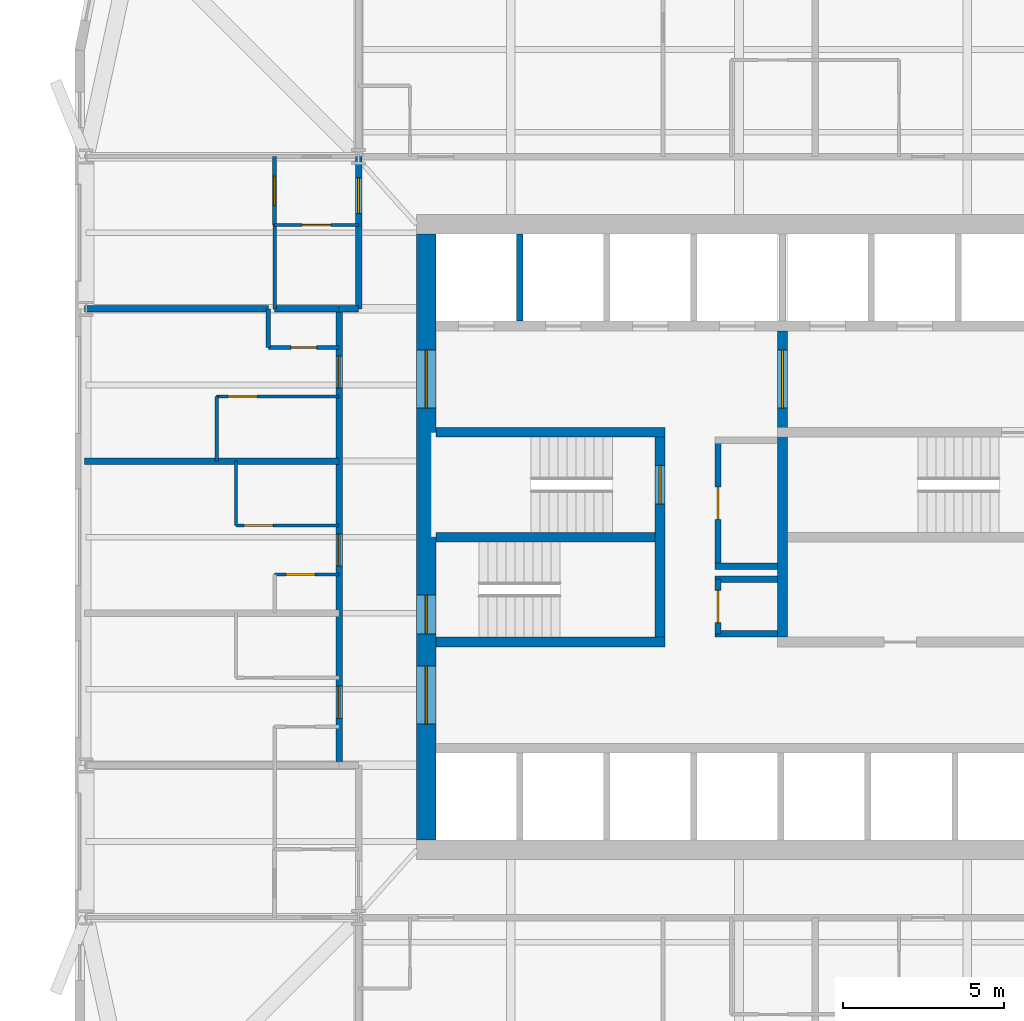
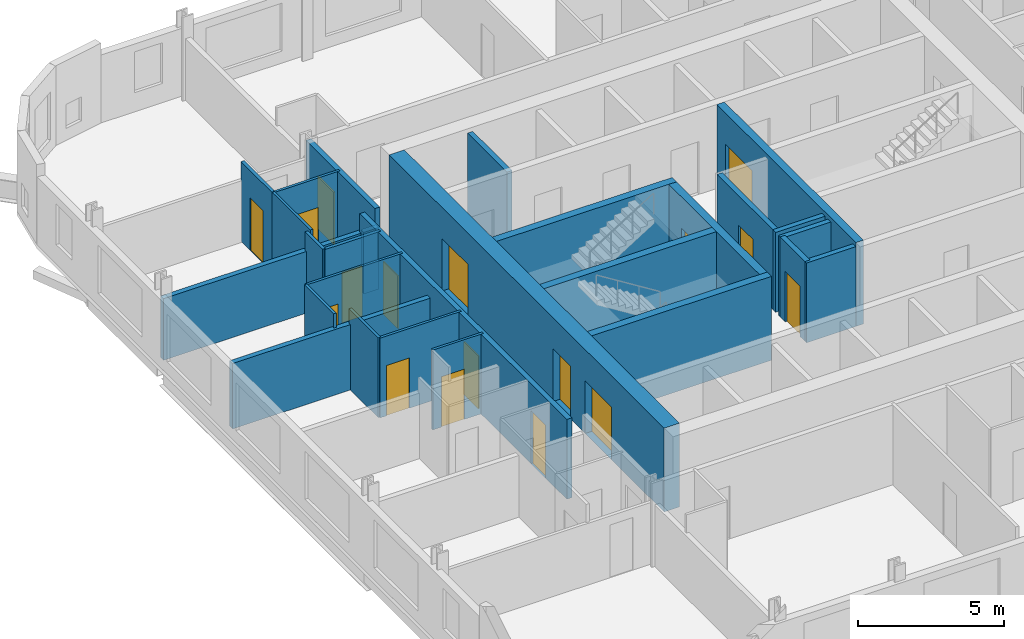
# One storey, part 4 of 9: 28 walls, 17 doors, 17 openings.
"""IFC4 building model written with IfcOpenShell, lengths in metres."""

from ifc_helpers import new_model, si_unit, direction, frame, frame_2d, origin, place, context, subcontext, project, spatial, rectangle, extrude, material, layer, layer_set, type_object, element, fill, save


model = new_model("IFC4")

# Units and contexts
model_context = context("Model", 3, precision=1e-05, world=origin(), true_north=direction((0.0, 1.0)))
body_context = subcontext(model_context, "Body", "Model", "MODEL_VIEW")
ifc_project = project(units=[si_unit("LENGTHUNIT", "METRE"), si_unit("AREAUNIT", "SQUARE_METRE"), si_unit("VOLUMEUNIT", "CUBIC_METRE"), si_unit("PLANEANGLEUNIT", "RADIAN"), si_unit("MASSUNIT", "GRAM", prefix="KILO")], contexts=[model_context])

# Site, building, storey
site_placement = place(None, origin())
site = spatial("IfcSite", under=ifc_project, at=site_placement, CompositionType="ELEMENT")
building_placement = place(site_placement, origin())
building = spatial("IfcBuilding", under=site, at=building_placement, Name="Turquesa Mirador Hotel Tower", CompositionType="ELEMENT")
storey_placement = place(building_placement, frame((0.0, 0.0, 145.89990234375)))
storey = spatial("IfcBuildingStorey", under=building, at=storey_placement, Name="L39", CompositionType="ELEMENT", Elevation=145.89990234375)

# Wall, opening, door
ifc_material_1 = material(Name="Gypsum board on steel studs", Category="steel")
ifc_layer_1 = layer(ifc_material_1, 0.10009765625)
ifc_layer_set_1 = layer_set([ifc_layer_1], Name="BATHROOM WALL 100")
wall_type_1 = type_object("IfcWallType", Name="BATHROOM WALL 100", PredefinedType="PARTITIONING", material=ifc_layer_set_1)
wall_1_placement = place(storey_placement, frame((40.60009765625, 43.840087890625, 0.0), z_axis=(0.0, 0.0, 1.0), x_axis=(1.0, 0.0, 0.0)))
wall_1 = element("IfcWall", 1, at=wall_1_placement, inside=storey, type_object=wall_type_1, Name="Partition L39 002", PredefinedType="PARTITIONING", context=body_context, shape_type="SweptSolid", body=[
    extrude(rectangle(XDim=2.0, YDim=0.10009765625, at=frame_2d((1.0, 0.0))), origin(), (0.0, 0.0, 1.0), 3.330078125),
])
opening_1_placement = place(wall_1_placement, frame((0.35009765625, 0.0, 0.0)))
opening_1 = element("IfcOpeningElement", 2, at=opening_1_placement, cuts=wall_1, Name="Opening D06", PredefinedType="OPENING", context=body_context, shape_type="SweptSolid", body=[
    extrude(rectangle(XDim=0.89990234375, YDim=2.10009765625, at=frame_2d((0.449951171875, 1.050048828125))), frame((0.0, 0.06005859375, 0.0), z_axis=(0.0, -1.0, 0.0), x_axis=(1.0, 0.0, 0.0)), (0.0, 0.0, 1.0), 0.1201171875),
])
ifc_material_2 = material(Name="Laminate door", Category="wood")
door_type_1 = type_object("IfcDoorType", Name="DOOR 900X2100 WC", OperationType="SINGLE_SWING_LEFT", PredefinedType="DOOR", material=ifc_material_2)
door_1_placement = place(opening_1_placement, origin())
door_1 = element("IfcDoor", 3, at=door_1_placement, inside=storey, type_object=door_type_1, Name="Door 3909W", OperationType="SINGLE_SWING_LEFT", OverallHeight=2.10009765625, OverallWidth=0.89990234375, PredefinedType="DOOR", context=body_context, shape_type="SweptSolid", body=[
    extrude(rectangle(XDim=0.89990234375, YDim=2.10009765625, at=frame_2d((0.449951171875, 1.050048828125))), frame((0.0, 0.02490234375, 0.0), z_axis=(0.0, -1.0, 0.0), x_axis=(1.0, 0.0, 0.0)), (0.0, 0.0, 1.0), 0.050048828125),
])
fill(opening_1, door_1)

wall_2_placement = place(storey_placement, frame((39.39990234375, 45.360107421875, 0.0), z_axis=(0.0, 0.0, 1.0), x_axis=(1.0, 0.0, 0.0)))
wall_2 = element("IfcWall", 4, at=wall_2_placement, inside=storey, type_object=wall_type_1, Name="Partition L39 019", PredefinedType="PARTITIONING", context=body_context, shape_type="SweptSolid", body=[
    extrude(rectangle(XDim=3.2001953125, YDim=0.10009765625, at=frame_2d((1.60009765625, 0.0))), origin(), (0.0, 0.0, 1.0), 3.330078125),
])
opening_2_placement = place(wall_2_placement, frame((0.25, 0.0, 0.0)))
opening_2 = element("IfcOpeningElement", 5, at=opening_2_placement, cuts=wall_2, Name="Opening D02", PredefinedType="OPENING", context=body_context, shape_type="SweptSolid", body=[
    extrude(rectangle(XDim=0.89990234375, YDim=2.10009765625, at=frame_2d((0.449951171875, 1.050048828125))), frame((0.0, 0.06005859375, 0.0), z_axis=(0.0, -1.0, 0.0), x_axis=(1.0, 0.0, 0.0)), (0.0, 0.0, 1.0), 0.1201171875),
])
ifc_material_3 = material(Name="Timber veneered door", Category="wood")
door_type_2 = type_object("IfcDoorType", Name="DOOR 900X2100 EN-SUITE", OperationType="SINGLE_SWING_RIGHT", PredefinedType="DOOR", material=ifc_material_3)
door_2_placement = place(opening_2_placement, origin())
door_2 = element("IfcDoor", 6, at=door_2_placement, inside=storey, type_object=door_type_2, Name="Door 3909B", OperationType="SINGLE_SWING_RIGHT", OverallHeight=2.10009765625, OverallWidth=0.89990234375, PredefinedType="DOOR", context=body_context, shape_type="SweptSolid", body=[
    extrude(rectangle(XDim=0.89990234375, YDim=2.10009765625, at=frame_2d((0.449951171875, 1.050048828125))), frame((0.0, 0.02490234375, 0.0), z_axis=(0.0, -1.0, 0.0), x_axis=(1.0, 0.0, 0.0)), (0.0, 0.0, 1.0), 0.050048828125),
])
fill(opening_2, door_2)

wall_3_placement = place(storey_placement, frame((38.800048828125, 49.360107421875, 0.0), z_axis=(0.0, 0.0, 1.0), x_axis=(1.0, 0.0, 0.0)))
wall_3 = element("IfcWall", 7, at=wall_3_placement, inside=storey, type_object=wall_type_1, Name="Partition L39 029", PredefinedType="PARTITIONING", context=body_context, shape_type="SweptSolid", body=[
    extrude(rectangle(XDim=3.800048828125, YDim=0.10009765625, at=frame_2d((1.89990234375, 0.0))), origin(), (0.0, 0.0, 1.0), 3.330078125),
])
opening_3_placement = place(wall_3_placement, frame((0.35009765625, 0.0, 0.0)))
opening_3 = element("IfcOpeningElement", 8, at=opening_3_placement, cuts=wall_3, Name="Opening D02", PredefinedType="OPENING", context=body_context, shape_type="SweptSolid", body=[
    extrude(rectangle(XDim=0.89990234375, YDim=2.10009765625, at=frame_2d((0.449951171875, 1.050048828125))), frame((0.0, 0.06005859375, 0.0), z_axis=(0.0, -1.0, 0.0), x_axis=(1.0, 0.0, 0.0)), (0.0, 0.0, 1.0), 0.1201171875),
])
door_3_placement = place(opening_3_placement, origin())
door_3 = element("IfcDoor", 9, at=door_3_placement, inside=storey, type_object=door_type_2, Name="Door 3910B", OperationType="SINGLE_SWING_RIGHT", OverallHeight=2.10009765625, OverallWidth=0.89990234375, PredefinedType="DOOR", context=body_context, shape_type="SweptSolid", body=[
    extrude(rectangle(XDim=0.89990234375, YDim=2.10009765625, at=frame_2d((0.449951171875, 1.050048828125))), frame((0.0, 0.02490234375, 0.0), z_axis=(0.0, -1.0, 0.0), x_axis=(1.0, 0.0, 0.0)), (0.0, 0.0, 1.0), 0.050048828125),
])
fill(opening_3, door_3)

wall_4_placement = place(storey_placement, frame((40.60009765625, 54.679931640625, 0.0), z_axis=(0.0, 0.0, 1.0), x_axis=(1.0, 0.0, 0.0)))
wall_4 = element("IfcWall", 10, at=wall_4_placement, inside=storey, type_object=wall_type_1, Name="Partition L39 037", PredefinedType="PARTITIONING", context=body_context, shape_type="SweptSolid", body=[
    extrude(rectangle(XDim=2.599853515625, YDim=0.10009765625, at=frame_2d((1.2998046875, 0.0))), origin(), (0.0, 0.0, 1.0), 3.330078125),
])
opening_4_placement = place(wall_4_placement, frame((0.85009765625, 0.0, 0.0)))
opening_4 = element("IfcOpeningElement", 11, at=opening_4_placement, cuts=wall_4, Name="Opening D02", PredefinedType="OPENING", context=body_context, shape_type="SweptSolid", body=[
    extrude(rectangle(XDim=0.89990234375, YDim=2.10009765625, at=frame_2d((0.449951171875, 1.050048828125))), frame((0.0, 0.06005859375, 0.0), z_axis=(0.0, -1.0, 0.0), x_axis=(1.0, 0.0, 0.0)), (0.0, 0.0, 1.0), 0.1201171875),
])
door_4_placement = place(opening_4_placement, origin())
door_4 = element("IfcDoor", 12, at=door_4_placement, inside=storey, type_object=door_type_2, Name="Door 3912B", OperationType="SINGLE_SWING_RIGHT", OverallHeight=2.10009765625, OverallWidth=0.89990234375, PredefinedType="DOOR", context=body_context, shape_type="SweptSolid", body=[
    extrude(rectangle(XDim=0.89990234375, YDim=2.10009765625, at=frame_2d((0.449951171875, 1.050048828125))), frame((0.0, 0.02490234375, 0.0), z_axis=(0.0, -1.0, 0.0), x_axis=(1.0, 0.0, 0.0)), (0.0, 0.0, 1.0), 0.050048828125),
])
fill(opening_4, door_4)

# Walls
wall_5_placement = place(storey_placement, frame((40.60009765625, 52.080078125, 0.0), z_axis=(0.0, 0.0, 1.0), x_axis=(0.0, 1.0, 0.0)))
element("IfcWall", 13, at=wall_5_placement, inside=storey, type_object=wall_type_1, Name="Partition L39 050", PredefinedType="PARTITIONING", context=body_context, shape_type="SweptSolid", body=[
    extrude(rectangle(XDim=2.599853515625, YDim=0.10009765625, at=frame_2d((1.2998046875, 0.0))), origin(), (0.0, 0.0, 1.0), 3.330078125),
])
for number, where, z_axis, x_axis, name in (
    (14, (39.39990234375, 45.360107421875, 0.0), (0.0, 0.0, 1.0), (0.0, 1.0, 0.0), "Partition L39 055"),
    (15, (38.800048828125, 47.360107421875, 0.0), (0.0, 0.0, 1.0), (0.0, 1.0, 0.0), "Partition L39 056"),
):
    element("IfcWall", number, at=place(storey_placement, frame(where, z_axis=z_axis, x_axis=x_axis)), inside=storey, type_object=wall_type_1, Name=name, PredefinedType="PARTITIONING", context=body_context, shape_type="SweptSolid", body=[
        extrude(rectangle(XDim=2.0, YDim=0.10009765625, at=frame_2d((1.0, 0.0))), origin(), (0.0, 0.0, 1.0), 3.330078125),
    ])
ifc_material_4 = material(Name="Concrete C50/60", Category="concrete")
ifc_layer_2 = layer(ifc_material_4, 0.300048828125)
ifc_layer_set_2 = layer_set([ifc_layer_2], Name="CORE INNER WALL 300")
wall_type_2 = type_object("IfcWallType", Name="CORE INNER WALL 300", PredefinedType="SHEAR", material=ifc_layer_set_2)
for number, where, z_axis, x_axis, name in (
    (16, (45.60009765625, 48.25, 0.0), (0.0, 0.0, 1.0), (1.0, 0.0, 0.0), "Core wall MN-W"),
    (17, (45.60009765625, 41.75, 0.0), (0.0, 0.0, 1.0), (1.0, 0.0, 0.0), "Core wall MS-W"),
):
    element("IfcWall", number, at=place(storey_placement, frame(where, z_axis=z_axis, x_axis=x_axis)), inside=storey, type_object=wall_type_2, Name=name, PredefinedType="SHEAR", context=body_context, shape_type="SweptSolid", body=[
        extrude(rectangle(XDim=7.099853515625, YDim=0.300048828125, at=frame_2d((3.5498046875, 0.0))), origin(), (0.0, 0.0, 1.0), 3.5),
    ])

# Wall, opening, door
wall_6_placement = place(storey_placement, frame((52.550048828125, 41.89990234375, 0.0), z_axis=(0.0, 0.0, 1.0), x_axis=(0.0, 1.0, 0.0)))
wall_6 = element("IfcWall", 18, at=wall_6_placement, inside=storey, type_object=wall_type_2, Name="Core wall PW", PredefinedType="SHEAR", context=body_context, shape_type="SweptSolid", body=[
    extrude(rectangle(XDim=6.2001953125, YDim=0.300048828125, at=frame_2d((3.10009765625, 0.0))), origin(), (0.0, 0.0, 1.0), 3.5),
])
opening_5_placement = place(wall_6_placement, frame((4.125, 0.0, 0.0)))
opening_5 = element("IfcOpeningElement", 19, at=opening_5_placement, cuts=wall_6, Name="Opening D03", PredefinedType="OPENING", context=body_context, shape_type="SweptSolid", body=[
    extrude(rectangle(XDim=1.199951171875, YDim=2.199951171875, at=frame_2d((0.60009765625, 1.10009765625))), frame((0.0, 0.159912109375, 0.0), z_axis=(0.0, -1.0, 0.0), x_axis=(1.0, 0.0, 0.0)), (0.0, 0.0, 1.0), 0.320068359375),
])
ifc_material_5 = material(Name="Steel fire door", Category="steel")
door_type_3 = type_object("IfcDoorType", Name="DOOR 1200X2200 STAIR", OperationType="SINGLE_SWING_LEFT", PredefinedType="DOOR", material=ifc_material_5)
door_5_placement = place(opening_5_placement, origin())
door_5 = element("IfcDoor", 20, at=door_5_placement, inside=storey, type_object=door_type_3, Name="Stair ST1 door", OperationType="SINGLE_SWING_LEFT", OverallHeight=2.199951171875, OverallWidth=1.199951171875, PredefinedType="DOOR", context=body_context, shape_type="SweptSolid", body=[
    extrude(rectangle(XDim=1.199951171875, YDim=2.199951171875, at=frame_2d((0.60009765625, 1.10009765625))), frame((0.0, 0.02490234375, 0.0), z_axis=(0.0, -1.0, 0.0), x_axis=(1.0, 0.0, 0.0)), (0.0, 0.0, 1.0), 0.050048828125),
])
fill(opening_5, door_5)

wall_7_placement = place(storey_placement, frame((56.35009765625, 41.89990234375, 0.0), z_axis=(0.0, 0.0, 1.0), x_axis=(0.0, 1.0, 0.0)))
wall_7 = element("IfcWall", 21, at=wall_7_placement, inside=storey, type_object=wall_type_2, Name="Core wall PE", PredefinedType="SHEAR", context=body_context, shape_type="SweptSolid", body=[
    extrude(rectangle(XDim=9.5, YDim=0.300048828125, at=frame_2d((4.75, 0.0))), origin(), (0.0, 0.0, 1.0), 3.5),
])
opening_6_placement = place(wall_7_placement, frame((7.10009765625, 0.0, 0.0)))
opening_6 = element("IfcOpeningElement", 22, at=opening_6_placement, cuts=wall_7, Name="Opening D04", PredefinedType="OPENING", context=body_context, shape_type="SweptSolid", body=[
    extrude(rectangle(XDim=1.800048828125, YDim=2.199951171875, at=frame_2d((0.89990234375, 1.10009765625))), frame((0.0, 0.159912109375, 0.0), z_axis=(0.0, -1.0, 0.0), x_axis=(1.0, 0.0, 0.0)), (0.0, 0.0, 1.0), 0.320068359375),
])
ifc_material_6 = material(Name="Steel fire door pair", Category="steel")
door_type_4 = type_object("IfcDoorType", Name="DOOR 1800X2200 PAIR", OperationType="DOUBLE_DOOR_SINGLE_SWING", PredefinedType="DOOR", material=ifc_material_6)
door_6_placement = place(opening_6_placement, origin())
door_6 = element("IfcDoor", 23, at=door_6_placement, inside=storey, type_object=door_type_4, Name="Firefighting lobby inner door", OperationType="DOUBLE_DOOR_SINGLE_SWING", OverallHeight=2.199951171875, OverallWidth=1.800048828125, PredefinedType="DOOR", context=body_context, shape_type="SweptSolid", body=[
    extrude(rectangle(XDim=1.800048828125, YDim=2.199951171875, at=frame_2d((0.89990234375, 1.10009765625))), frame((0.0, 0.02490234375, 0.0), z_axis=(0.0, -1.0, 0.0), x_axis=(1.0, 0.0, 0.0)), (0.0, 0.0, 1.0), 0.050048828125),
])
fill(opening_6, door_6)

# Wall
wall_8_placement = place(storey_placement, frame((45.60009765625, 45.0, 0.0), z_axis=(0.0, 0.0, 1.0), x_axis=(1.0, 0.0, 0.0)))
element("IfcWall", 24, at=wall_8_placement, inside=storey, type_object=wall_type_2, Name="Core wall M0-W", PredefinedType="SHEAR", context=body_context, shape_type="SweptSolid", body=[
    extrude(rectangle(XDim=6.7998046875, YDim=0.300048828125, at=frame_2d((3.39990234375, 0.0))), origin(), (0.0, 0.0, 1.0), 3.5),
])

# Wall, openings, doors
ifc_material_7 = material(Name="Concrete C50/60", Category="concrete")
ifc_layer_3 = layer(ifc_material_7, 0.60009765625)
ifc_layer_set_3 = layer_set([ifc_layer_3], Name="CORE WALL 600")
wall_type_3 = type_object("IfcWallType", Name="CORE WALL 600", PredefinedType="SHEAR", material=ifc_layer_set_3)
wall_9_placement = place(storey_placement, frame((45.300048828125, 35.60009765625, 0.0), z_axis=(0.0, 0.0, 1.0), x_axis=(0.0, 1.0, 0.0)))
wall_9 = element("IfcWall", 25, at=wall_9_placement, inside=storey, type_object=wall_type_3, Name="Core wall W", PredefinedType="SHEAR", context=body_context, shape_type="SweptSolid", body=[
    extrude(rectangle(XDim=18.7998046875, YDim=0.60009765625, at=frame_2d((9.39990234375, 0.0))), origin(), (0.0, 0.0, 1.0), 3.5),
])
opening_7_placement = place(wall_9_placement, frame((13.39990234375, 0.0, 0.0)))
opening_7 = element("IfcOpeningElement", 26, at=opening_7_placement, cuts=wall_9, Name="Opening D04", PredefinedType="OPENING", context=body_context, shape_type="SweptSolid", body=[
    extrude(rectangle(XDim=1.800048828125, YDim=2.199951171875, at=frame_2d((0.89990234375, 1.10009765625))), frame((0.0, 0.31005859375, 0.0), z_axis=(0.0, -1.0, 0.0), x_axis=(1.0, 0.0, 0.0)), (0.0, 0.0, 1.0), 0.6201171875),
])
opening_8_placement = place(wall_9_placement, frame((3.60009765625, 0.0, 0.0)))
opening_8 = element("IfcOpeningElement", 27, at=opening_8_placement, cuts=wall_9, Name="Opening D04", PredefinedType="OPENING", context=body_context, shape_type="SweptSolid", body=[
    extrude(rectangle(XDim=1.800048828125, YDim=2.199951171875, at=frame_2d((0.89990234375, 1.10009765625))), frame((0.0, 0.31005859375, 0.0), z_axis=(0.0, -1.0, 0.0), x_axis=(1.0, 0.0, 0.0)), (0.0, 0.0, 1.0), 0.6201171875),
])
opening_9_placement = place(wall_9_placement, frame((6.39990234375, 0.0, 0.0)))
opening_9 = element("IfcOpeningElement", 28, at=opening_9_placement, cuts=wall_9, Name="Opening D03", PredefinedType="OPENING", context=body_context, shape_type="SweptSolid", body=[
    extrude(rectangle(XDim=1.199951171875, YDim=2.199951171875, at=frame_2d((0.60009765625, 1.10009765625))), frame((0.0, 0.31005859375, 0.0), z_axis=(0.0, -1.0, 0.0), x_axis=(1.0, 0.0, 0.0)), (0.0, 0.0, 1.0), 0.6201171875),
])
door_7_placement = place(opening_9_placement, origin())
door_7 = element("IfcDoor", 29, at=door_7_placement, inside=storey, type_object=door_type_3, Name="Stair ST2 door", OperationType="SINGLE_SWING_LEFT", OverallHeight=2.199951171875, OverallWidth=1.199951171875, PredefinedType="DOOR", context=body_context, shape_type="SweptSolid", body=[
    extrude(rectangle(XDim=1.199951171875, YDim=2.199951171875, at=frame_2d((0.60009765625, 1.10009765625))), frame((0.0, 0.02490234375, 0.0), z_axis=(0.0, -1.0, 0.0), x_axis=(1.0, 0.0, 0.0)), (0.0, 0.0, 1.0), 0.050048828125),
])
fill(opening_9, door_7)
door_8_placement = place(opening_7_placement, origin())
door_8 = element("IfcDoor", 30, at=door_8_placement, inside=storey, type_object=door_type_4, Name="North lift lobby door", OperationType="DOUBLE_DOOR_SINGLE_SWING", OverallHeight=2.199951171875, OverallWidth=1.800048828125, PredefinedType="DOOR", context=body_context, shape_type="SweptSolid", body=[
    extrude(rectangle(XDim=1.800048828125, YDim=2.199951171875, at=frame_2d((0.89990234375, 1.10009765625))), frame((0.0, 0.02490234375, 0.0), z_axis=(0.0, -1.0, 0.0), x_axis=(1.0, 0.0, 0.0)), (0.0, 0.0, 1.0), 0.050048828125),
])
fill(opening_7, door_8)
door_9_placement = place(opening_8_placement, origin())
door_9 = element("IfcDoor", 31, at=door_9_placement, inside=storey, type_object=door_type_4, Name="South lift lobby door", OperationType="DOUBLE_DOOR_SINGLE_SWING", OverallHeight=2.199951171875, OverallWidth=1.800048828125, PredefinedType="DOOR", context=body_context, shape_type="SweptSolid", body=[
    extrude(rectangle(XDim=1.800048828125, YDim=2.199951171875, at=frame_2d((0.89990234375, 1.10009765625))), frame((0.0, 0.02490234375, 0.0), z_axis=(0.0, -1.0, 0.0), x_axis=(1.0, 0.0, 0.0)), (0.0, 0.0, 1.0), 0.050048828125),
])
fill(opening_8, door_9)

# Wall
ifc_material_8 = material(Name="Fire-rated gypsum board on steel studs", Category="steel")
ifc_layer_4 = layer(ifc_material_8, 0.199951171875)
ifc_layer_set_4 = layer_set([ifc_layer_4], Name="CORRIDOR WALL 200")
wall_type_4 = type_object("IfcWallType", Name="CORRIDOR WALL 200", PredefinedType="PARTITIONING", material=ifc_layer_set_4)
wall_10_placement = place(storey_placement, frame((42.60009765625, 52.080078125, 0.0), z_axis=(0.0, 0.0, 1.0), x_axis=(1.0, 0.0, 0.0)))
element("IfcWall", 32, at=wall_10_placement, inside=storey, type_object=wall_type_4, Name="Partition L39 032", PredefinedType="PARTITIONING", context=body_context, shape_type="SweptSolid", body=[
    extrude(rectangle(XDim=0.599853515625, YDim=0.199951171875, at=frame_2d((0.2998046875, 0.0))), origin(), (0.0, 0.0, 1.0), 2.5732421875),
])

# Wall, opening, door
wall_11_placement = place(storey_placement, frame((43.199951171875, 52.080078125, 0.0), z_axis=(0.0, 0.0, 1.0), x_axis=(0.0, 1.0, 0.0)))
wall_11 = element("IfcWall", 33, at=wall_11_placement, inside=storey, type_object=wall_type_4, Name="Partition L39 044", PredefinedType="PARTITIONING", context=body_context, shape_type="SweptSolid", body=[
    extrude(rectangle(XDim=4.719970703125, YDim=0.199951171875, at=frame_2d((2.35986328125, 0.0))), origin(), (0.0, 0.0, 1.0), 3.330078125),
])
opening_10_placement = place(wall_11_placement, frame((2.9599609375, 0.0, 0.0)))
opening_10 = element("IfcOpeningElement", 34, at=opening_10_placement, cuts=wall_11, Name="Opening D15", PredefinedType="OPENING", context=body_context, shape_type="SweptSolid", body=[
    extrude(rectangle(XDim=1.10009765625, YDim=2.199951171875, at=frame_2d((0.550048828125, 1.10009765625))), frame((0.0, 0.10986328125, 0.0), z_axis=(0.0, -1.0, 0.0), x_axis=(1.0, 0.0, 0.0)), (0.0, 0.0, 1.0), 0.219970703125),
])
ifc_material_9 = material(Name="Timber veneered fire door", Category="wood")
door_type_5 = type_object("IfcDoorType", Name="DOOR 1100X2200 SUITE ENTRY", OperationType="SINGLE_SWING_LEFT", PredefinedType="DOOR", material=ifc_material_9)
door_10_placement = place(opening_10_placement, origin())
door_10 = element("IfcDoor", 35, at=door_10_placement, inside=storey, type_object=door_type_5, Name="Door 3912H", OperationType="SINGLE_SWING_LEFT", OverallHeight=2.199951171875, OverallWidth=1.10009765625, PredefinedType="DOOR", context=body_context, shape_type="SweptSolid", body=[
    extrude(rectangle(XDim=1.10009765625, YDim=2.199951171875, at=frame_2d((0.550048828125, 1.10009765625))), frame((0.0, 0.02490234375, 0.0), z_axis=(0.0, -1.0, 0.0), x_axis=(1.0, 0.0, 0.0)), (0.0, 0.0, 1.0), 0.050048828125),
])
fill(opening_10, door_10)

# Wall, openings, doors
wall_12_placement = place(storey_placement, frame((42.60009765625, 37.919921875, 0.0), z_axis=(0.0, 0.0, 1.0), x_axis=(0.0, 1.0, 0.0)))
wall_12 = element("IfcWall", 36, at=wall_12_placement, inside=storey, type_object=wall_type_4, Name="Partition L39 047", PredefinedType="PARTITIONING", context=body_context, shape_type="SweptSolid", body=[
    extrude(rectangle(XDim=14.16015625, YDim=0.199951171875, at=frame_2d((7.080078125, 0.0))), origin(), (0.0, 0.0, 1.0), 3.330078125),
])
opening_11_placement = place(wall_12_placement, frame((1.4599609375, 0.0, 0.0)))
opening_11 = element("IfcOpeningElement", 37, at=opening_11_placement, cuts=wall_12, Name="Opening D01", PredefinedType="OPENING", context=body_context, shape_type="SweptSolid", body=[
    extrude(rectangle(XDim=1.0, YDim=2.199951171875, at=frame_2d((0.5, 1.10009765625))), frame((0.0, 0.10986328125, 0.0), z_axis=(0.0, -1.0, 0.0), x_axis=(1.0, 0.0, 0.0)), (0.0, 0.0, 1.0), 0.219970703125),
])
opening_12_placement = place(wall_12_placement, frame((6.179931640625, 0.0, 0.0)))
opening_12 = element("IfcOpeningElement", 38, at=opening_12_placement, cuts=wall_12, Name="Opening D01", PredefinedType="OPENING", context=body_context, shape_type="SweptSolid", body=[
    extrude(rectangle(XDim=1.0, YDim=2.199951171875, at=frame_2d((0.5, 1.10009765625))), frame((0.0, 0.10986328125, 0.0), z_axis=(0.0, -1.0, 0.0), x_axis=(1.0, 0.0, 0.0)), (0.0, 0.0, 1.0), 0.219970703125),
])
opening_13_placement = place(wall_12_placement, frame((11.699951171875, 0.0, 0.0)))
opening_13 = element("IfcOpeningElement", 39, at=opening_13_placement, cuts=wall_12, Name="Opening D01", PredefinedType="OPENING", context=body_context, shape_type="SweptSolid", body=[
    extrude(rectangle(XDim=1.0, YDim=2.199951171875, at=frame_2d((0.5, 1.10009765625))), frame((0.0, 0.10986328125, 0.0), z_axis=(0.0, -1.0, 0.0), x_axis=(1.0, 0.0, 0.0)), (0.0, 0.0, 1.0), 0.219970703125),
])
ifc_material_10 = material(Name="Timber veneered fire door", Category="wood")
door_type_6 = type_object("IfcDoorType", Name="DOOR 1000X2200 GUEST ENTRY", OperationType="SINGLE_SWING_LEFT", PredefinedType="DOOR", material=ifc_material_10)
door_11_placement = place(opening_11_placement, origin())
door_11 = element("IfcDoor", 40, at=door_11_placement, inside=storey, type_object=door_type_6, Name="Door 3908", OperationType="SINGLE_SWING_LEFT", OverallHeight=2.199951171875, OverallWidth=1.0, PredefinedType="DOOR", context=body_context, shape_type="SweptSolid", body=[
    extrude(rectangle(XDim=1.0, YDim=2.199951171875, at=frame_2d((0.5, 1.10009765625))), frame((0.0, 0.02490234375, 0.0), z_axis=(0.0, -1.0, 0.0), x_axis=(1.0, 0.0, 0.0)), (0.0, 0.0, 1.0), 0.050048828125),
])
fill(opening_11, door_11)
door_12_placement = place(opening_12_placement, origin())
door_12 = element("IfcDoor", 41, at=door_12_placement, inside=storey, type_object=door_type_6, Name="Door 3909", OperationType="SINGLE_SWING_LEFT", OverallHeight=2.199951171875, OverallWidth=1.0, PredefinedType="DOOR", context=body_context, shape_type="SweptSolid", body=[
    extrude(rectangle(XDim=1.0, YDim=2.199951171875, at=frame_2d((0.5, 1.10009765625))), frame((0.0, 0.02490234375, 0.0), z_axis=(0.0, -1.0, 0.0), x_axis=(1.0, 0.0, 0.0)), (0.0, 0.0, 1.0), 0.050048828125),
])
fill(opening_12, door_12)
door_13_placement = place(opening_13_placement, origin())
door_13 = element("IfcDoor", 42, at=door_13_placement, inside=storey, type_object=door_type_6, Name="Door 3910", OperationType="SINGLE_SWING_LEFT", OverallHeight=2.199951171875, OverallWidth=1.0, PredefinedType="DOOR", context=body_context, shape_type="SweptSolid", body=[
    extrude(rectangle(XDim=1.0, YDim=2.199951171875, at=frame_2d((0.5, 1.10009765625))), frame((0.0, 0.02490234375, 0.0), z_axis=(0.0, -1.0, 0.0), x_axis=(1.0, 0.0, 0.0)), (0.0, 0.0, 1.0), 0.050048828125),
])
fill(opening_13, door_13)

# Wall, opening, door
ifc_material_11 = material(Name="Fire-rated gypsum board on steel studs", Category="steel")
ifc_layer_5 = layer(ifc_material_11, 0.199951171875)
ifc_layer_set_5 = layer_set([ifc_layer_5], Name="FIRE PARTITION 200")
wall_type_5 = type_object("IfcWallType", Name="FIRE PARTITION 200", PredefinedType="PARTITIONING", material=ifc_layer_set_5)
wall_13_placement = place(storey_placement, frame((54.35009765625, 42.0, 0.0), z_axis=(0.0, 0.0, 1.0), x_axis=(0.0, 1.0, 0.0)))
wall_13 = element("IfcWall", 43, at=wall_13_placement, inside=storey, type_object=wall_type_5, Name="Partition L39 SW W", PredefinedType="PARTITIONING", context=body_context, shape_type="SweptSolid", body=[
    extrude(rectangle(XDim=1.699951171875, YDim=0.199951171875, at=frame_2d((0.85009765625, 0.0))), origin(), (0.0, 0.0, 1.0), 3.330078125),
])
opening_14_placement = place(wall_13_placement, frame((0.35009765625, 0.0, 0.0)))
opening_14 = element("IfcOpeningElement", 44, at=opening_14_placement, cuts=wall_13, Name="Opening D05", PredefinedType="OPENING", context=body_context, shape_type="SweptSolid", body=[
    extrude(rectangle(XDim=1.0, YDim=2.10009765625, at=frame_2d((0.5, 1.050048828125))), frame((0.0, 0.10986328125, 0.0), z_axis=(0.0, -1.0, 0.0), x_axis=(1.0, 0.0, 0.0)), (0.0, 0.0, 1.0), 0.219970703125),
])
ifc_material_12 = material(Name="Steel fire door", Category="steel")
door_type_7 = type_object("IfcDoorType", Name="DOOR 1000X2100 SERVICE", OperationType="SINGLE_SWING_LEFT", PredefinedType="DOOR", material=ifc_material_12)
door_14_placement = place(opening_14_placement, origin())
door_14 = element("IfcDoor", 45, at=door_14_placement, inside=storey, type_object=door_type_7, Name="Staff WC door", OperationType="SINGLE_SWING_LEFT", OverallHeight=2.10009765625, OverallWidth=1.0, PredefinedType="DOOR", context=body_context, shape_type="SweptSolid", body=[
    extrude(rectangle(XDim=1.0, YDim=2.10009765625, at=frame_2d((0.5, 1.050048828125))), frame((0.0, 0.02490234375, 0.0), z_axis=(0.0, -1.0, 0.0), x_axis=(1.0, 0.0, 0.0)), (0.0, 0.0, 1.0), 0.050048828125),
])
fill(opening_14, door_14)

# Walls
for number, where, z_axis, x_axis, name in (
    (46, (54.25, 42.0, 0.0), (0.0, 0.0, 1.0), (1.0, 0.0, 0.0), "Partition L39 SW S"),
    (47, (54.25, 43.699951171875, 0.0), (0.0, 0.0, 1.0), (1.0, 0.0, 0.0), "Partition L39 SW N"),
):
    element("IfcWall", number, at=place(storey_placement, frame(where, z_axis=z_axis, x_axis=x_axis)), inside=storey, type_object=wall_type_5, Name=name, PredefinedType="PARTITIONING", context=body_context, shape_type="SweptSolid", body=[
        extrude(rectangle(XDim=1.949951171875, YDim=0.199951171875, at=frame_2d((0.97509765625, 0.0))), origin(), (0.0, 0.0, 1.0), 3.330078125),
    ])

# Wall, opening, door
wall_14_placement = place(storey_placement, frame((54.35009765625, 44.10009765625, 0.0), z_axis=(0.0, 0.0, 1.0), x_axis=(0.0, 1.0, 0.0)))
wall_14 = element("IfcWall", 48, at=wall_14_placement, inside=storey, type_object=wall_type_5, Name="Partition L39 LG W", PredefinedType="PARTITIONING", context=body_context, shape_type="SweptSolid", body=[
    extrude(rectangle(XDim=3.89990234375, YDim=0.199951171875, at=frame_2d((1.949951171875, 0.0))), origin(), (0.0, 0.0, 1.0), 3.330078125),
])
opening_15_placement = place(wall_14_placement, frame((1.449951171875, 0.0, 0.0)))
opening_15 = element("IfcOpeningElement", 49, at=opening_15_placement, cuts=wall_14, Name="Opening D05", PredefinedType="OPENING", context=body_context, shape_type="SweptSolid", body=[
    extrude(rectangle(XDim=1.0, YDim=2.10009765625, at=frame_2d((0.5, 1.050048828125))), frame((0.0, 0.10986328125, 0.0), z_axis=(0.0, -1.0, 0.0), x_axis=(1.0, 0.0, 0.0)), (0.0, 0.0, 1.0), 0.219970703125),
])
door_15_placement = place(opening_15_placement, origin())
door_15 = element("IfcDoor", 50, at=door_15_placement, inside=storey, type_object=door_type_7, Name="Luggage room door", OperationType="SINGLE_SWING_LEFT", OverallHeight=2.10009765625, OverallWidth=1.0, PredefinedType="DOOR", context=body_context, shape_type="SweptSolid", body=[
    extrude(rectangle(XDim=1.0, YDim=2.10009765625, at=frame_2d((0.5, 1.050048828125))), frame((0.0, 0.02490234375, 0.0), z_axis=(0.0, -1.0, 0.0), x_axis=(1.0, 0.0, 0.0)), (0.0, 0.0, 1.0), 0.050048828125),
])
fill(opening_15, door_15)

# Walls
wall_15_placement = place(storey_placement, frame((54.25, 44.10009765625, 0.0), z_axis=(0.0, 0.0, 1.0), x_axis=(1.0, 0.0, 0.0)))
element("IfcWall", 51, at=wall_15_placement, inside=storey, type_object=wall_type_5, Name="Partition L39 LG S", PredefinedType="PARTITIONING", context=body_context, shape_type="SweptSolid", body=[
    extrude(rectangle(XDim=1.949951171875, YDim=0.199951171875, at=frame_2d((0.97509765625, 0.0))), origin(), (0.0, 0.0, 1.0), 3.330078125),
])
ifc_material_13 = material(Name="Fire-rated gypsum shaft wall on steel studs", Category="steel")
ifc_layer_6 = layer(ifc_material_13, 0.199951171875)
ifc_layer_set_6 = layer_set([ifc_layer_6], Name="LIFT SHAFT DIVIDER 200")
wall_type_6 = type_object("IfcWallType", Name="LIFT SHAFT DIVIDER 200", PredefinedType="PARTITIONING", material=ifc_layer_set_6)
wall_16_placement = place(storey_placement, frame((48.199951171875, 51.699951171875, 0.0), z_axis=(0.0, 0.0, 1.0), x_axis=(0.0, 1.0, 0.0)))
element("IfcWall", 52, at=wall_16_placement, inside=storey, type_object=wall_type_6, Name="Lift shaft divider", PredefinedType="PARTITIONING", context=body_context, shape_type="SweptSolid", body=[
    extrude(rectangle(XDim=2.699951171875, YDim=0.199951171875, at=frame_2d((1.35009765625, 0.0))), origin(), (0.0, 0.0, 1.0), 3.330078125),
])
ifc_material_14 = material(Name="Fire-rated gypsum board on steel studs", Category="steel")
ifc_layer_7 = layer(ifc_material_14, 0.199951171875)
ifc_layer_set_7 = layer_set([ifc_layer_7], Name="PARTY WALL 200")
wall_type_7 = type_object("IfcWallType", Name="PARTY WALL 200", PredefinedType="PARTITIONING", material=ifc_layer_set_7)
wall_17_placement = place(storey_placement, frame((34.699951171875, 47.360107421875, 0.0), z_axis=(0.0, 0.0, 1.0), x_axis=(1.0, 0.0, 0.0)))
element("IfcWall", 53, at=wall_17_placement, inside=storey, type_object=wall_type_7, Name="Partition L39 027", PredefinedType="PARTITIONING", context=body_context, shape_type="SweptSolid", body=[
    extrude(rectangle(XDim=7.900146484375, YDim=0.199951171875, at=frame_2d((3.9501953125, 0.0))), origin(), (0.0, 0.0, 1.0), 2.730712890625),
])
wall_18_placement = place(storey_placement, frame((34.699951171875, 52.080078125, 0.0), z_axis=(0.0, 0.0, 1.0), x_axis=(1.0, 0.0, 0.0)))
element("IfcWall", 54, at=wall_18_placement, inside=storey, type_object=wall_type_7, Name="Partition L39 033", PredefinedType="PARTITIONING", context=body_context, shape_type="SweptSolid", body=[
    extrude(rectangle(XDim=5.699951171875, YDim=0.199951171875, at=frame_2d((2.85009765625, 0.0))), origin(), (0.0, 0.0, 1.0), 2.5732421875),
])
wall_19_placement = place(storey_placement, frame((40.60009765625, 52.080078125, 0.0), z_axis=(0.0, 0.0, 1.0), x_axis=(1.0, 0.0, 0.0)))
element("IfcWall", 55, at=wall_19_placement, inside=storey, type_object=wall_type_7, Name="Partition L39 034", PredefinedType="PARTITIONING", context=body_context, shape_type="SweptSolid", body=[
    extrude(rectangle(XDim=2.0, YDim=0.199951171875, at=frame_2d((1.0, 0.0))), origin(), (0.0, 0.0, 1.0), 2.5732421875),
])

# Wall, opening, door
ifc_material_15 = material(Name="Acoustic gypsum board on steel studs", Category="steel")
ifc_layer_8 = layer(ifc_material_15, 0.125)
ifc_layer_set_8 = layer_set([ifc_layer_8], Name="SUITE PARTITION 125")
wall_type_8 = type_object("IfcWallType", Name="SUITE PARTITION 125", PredefinedType="PARTITIONING", material=ifc_layer_set_8)
wall_20_placement = place(storey_placement, frame((40.39990234375, 50.8798828125, 0.0), z_axis=(0.0, 0.0, 1.0), x_axis=(1.0, 0.0, 0.0)))
wall_20 = element("IfcWall", 56, at=wall_20_placement, inside=storey, type_object=wall_type_8, Name="Partition L39 031", PredefinedType="PARTITIONING", context=body_context, shape_type="SweptSolid", body=[
    extrude(rectangle(XDim=2.2001953125, YDim=0.125, at=frame_2d((1.10009765625, 0.0))), origin(), (0.0, 0.0, 1.0), 3.330078125),
])
opening_16_placement = place(wall_20_placement, frame((0.699951171875, 0.0, 0.0)))
opening_16 = element("IfcOpeningElement", 57, at=opening_16_placement, cuts=wall_20, Name="Opening D20", PredefinedType="OPENING", context=body_context, shape_type="SweptSolid", body=[
    extrude(rectangle(XDim=0.800048828125, YDim=2.10009765625, at=frame_2d((0.39990234375, 1.050048828125))), frame((0.0, 0.072509765625, 0.0), z_axis=(0.0, -1.0, 0.0), x_axis=(1.0, 0.0, 0.0)), (0.0, 0.0, 1.0), 0.14501953125),
])
ifc_material_16 = material(Name="Timber veneered sliding door", Category="wood")
door_type_8 = type_object("IfcDoorType", Name="DOOR 800X2100 WARDROBE", OperationType="SLIDING_TO_LEFT", PredefinedType="DOOR", material=ifc_material_16)
door_16_placement = place(opening_16_placement, origin())
door_16 = element("IfcDoor", 58, at=door_16_placement, inside=storey, type_object=door_type_8, Name="Door 3910W", OperationType="SLIDING_TO_LEFT", OverallHeight=2.10009765625, OverallWidth=0.800048828125, PredefinedType="DOOR", context=body_context, shape_type="SweptSolid", body=[
    extrude(rectangle(XDim=0.800048828125, YDim=2.10009765625, at=frame_2d((0.39990234375, 1.050048828125))), frame((0.0, 0.02490234375, 0.0), z_axis=(0.0, -1.0, 0.0), x_axis=(1.0, 0.0, 0.0)), (0.0, 0.0, 1.0), 0.050048828125),
])
fill(opening_16, door_16)

wall_21_placement = place(storey_placement, frame((40.60009765625, 54.679931640625, 0.0), z_axis=(0.0, 0.0, 1.0), x_axis=(0.0, 1.0, 0.0)))
wall_21 = element("IfcWall", 59, at=wall_21_placement, inside=storey, type_object=wall_type_8, Name="Partition L39 052", PredefinedType="PARTITIONING", context=body_context, shape_type="SweptSolid", body=[
    extrude(rectangle(XDim=2.1201171875, YDim=0.125, at=frame_2d((1.06005859375, 0.0))), origin(), (0.0, 0.0, 1.0), 3.330078125),
])
opening_17_placement = place(wall_21_placement, frame((0.610107421875, 0.0, 0.0)))
opening_17 = element("IfcOpeningElement", 60, at=opening_17_placement, cuts=wall_21, Name="Opening D17", PredefinedType="OPENING", context=body_context, shape_type="SweptSolid", body=[
    extrude(rectangle(XDim=0.89990234375, YDim=2.199951171875, at=frame_2d((0.449951171875, 1.10009765625))), frame((0.0, 0.072509765625, 0.0), z_axis=(0.0, -1.0, 0.0), x_axis=(1.0, 0.0, 0.0)), (0.0, 0.0, 1.0), 0.14501953125),
])
ifc_material_17 = material(Name="Timber veneered door", Category="wood")
door_type_9 = type_object("IfcDoorType", Name="DOOR 900X2200 SUITE INTERNAL", OperationType="SINGLE_SWING_LEFT", PredefinedType="DOOR", material=ifc_material_17)
door_17_placement = place(opening_17_placement, origin())
door_17 = element("IfcDoor", 61, at=door_17_placement, inside=storey, type_object=door_type_9, Name="Door 3912R", OperationType="SINGLE_SWING_LEFT", OverallHeight=2.199951171875, OverallWidth=0.89990234375, PredefinedType="DOOR", context=body_context, shape_type="SweptSolid", body=[
    extrude(rectangle(XDim=0.89990234375, YDim=2.199951171875, at=frame_2d((0.449951171875, 1.10009765625))), frame((0.0, 0.02490234375, 0.0), z_axis=(0.0, -1.0, 0.0), x_axis=(1.0, 0.0, 0.0)), (0.0, 0.0, 1.0), 0.050048828125),
])
fill(opening_17, door_17)

# Wall
wall_22_placement = place(storey_placement, frame((40.39990234375, 50.8798828125, 0.0), z_axis=(0.0, 0.0, 1.0), x_axis=(0.0, 1.0, 0.0)))
element("IfcWall", 62, at=wall_22_placement, inside=storey, type_object=wall_type_8, Name="Partition L39 053", PredefinedType="PARTITIONING", context=body_context, shape_type="SweptSolid", body=[
    extrude(rectangle(XDim=1.2001953125, YDim=0.125, at=frame_2d((0.60009765625, 0.0))), origin(), (0.0, 0.0, 1.0), 3.330078125),
])

save(model, "model.ifc")
